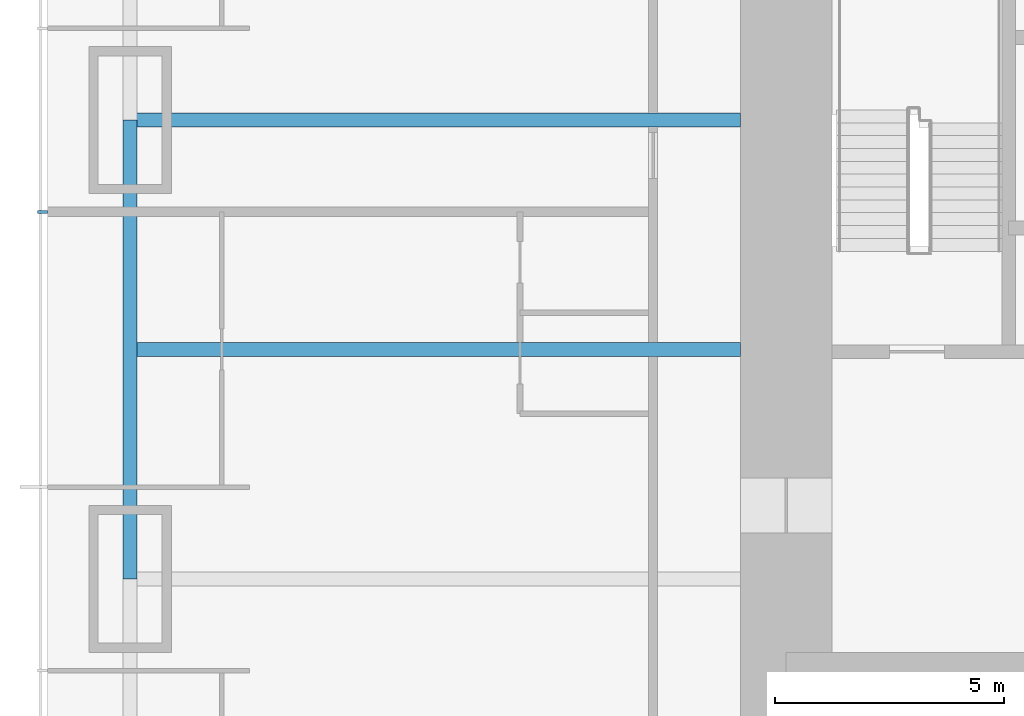
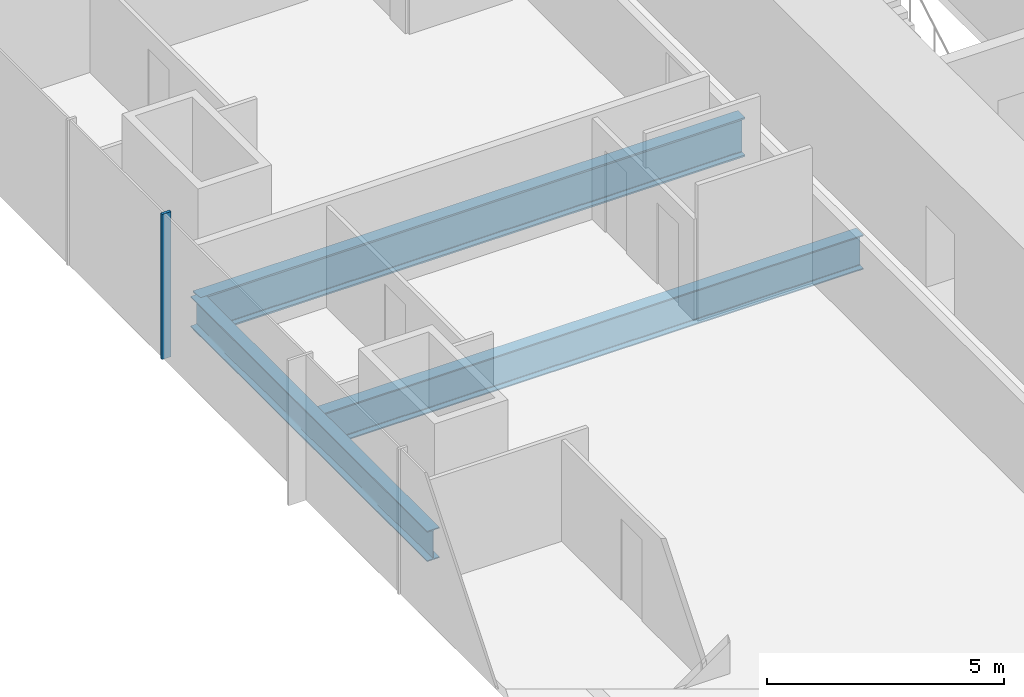
# One storey, part 3 of 17: 3 beams, 1 member, 1 element without a shape of its own.
"""IFC4 building model written with IfcOpenShell, lengths in metres."""

from ifc_helpers import new_model, si_unit, direction, frame, origin, origin_2d, place, context, subcontext, project, spatial, rectangle, i_section, extrude, material, material_profile, profile_set, type_object, element, aggregate, save


model = new_model("IFC4")

# Units and contexts
model_context = context("Model", 3, precision=1e-05, world=origin(), true_north=direction((0.0, 1.0)))
body_context = subcontext(model_context, "Body", "Model", "MODEL_VIEW")
ifc_project = project(units=[si_unit("LENGTHUNIT", "METRE"), si_unit("AREAUNIT", "SQUARE_METRE"), si_unit("VOLUMEUNIT", "CUBIC_METRE"), si_unit("PLANEANGLEUNIT", "RADIAN"), si_unit("MASSUNIT", "GRAM", prefix="KILO")], contexts=[model_context])

# Site, building, storey
site_placement = place(None, origin())
site = spatial("IfcSite", under=ifc_project, at=site_placement, CompositionType="ELEMENT")
building_placement = place(site_placement, origin())
building = spatial("IfcBuilding", under=site, at=building_placement, Name="Khuree Lantern Residences", CompositionType="ELEMENT")
storey_placement = place(building_placement, frame((0.0, 0.0, 43.5)))
storey = spatial("IfcBuildingStorey", under=building, at=storey_placement, Name="L10", CompositionType="ELEMENT", Elevation=43.5)

# Beams
ifc_material_1 = material(Name="Steel S355", Category="steel")
ifc_material_profile_1 = material_profile(ifc_material_1, i_section(OverallWidth=0.300048828125, OverallDepth=0.889892578125, WebThickness=0.01611328125, FlangeThickness=0.030029296875, FilletRadius=0.030029296875, at=origin_2d()), Name="HE 900 A")
ifc_profile_set_1 = profile_set([ifc_material_profile_1], Name="Steel S355")
beam_type_1 = type_object("IfcBeamType", Name="B-12 SECONDARY BEAM HE 900 A", PredefinedType="BEAM", material=ifc_profile_set_1)
beam_1_placement = place(storey_placement, frame((-29.800048828125, -5.0, -0.695068359375), z_axis=(1.0, 0.0, 0.0), x_axis=(0.0, 1.0, 0.0)))
element("IfcBeam", 1, at=beam_1_placement, inside=storey, type_object=beam_type_1, Name="Secondary beam W3", PredefinedType="BEAM", context=body_context, shape_type="SweptSolid", body=[
    extrude(i_section(OverallWidth=0.300048828125, OverallDepth=0.889892578125, WebThickness=0.01611328125, FlangeThickness=0.030029296875, FilletRadius=0.030029296875, at=origin_2d()), origin(), (0.0, 0.0, 1.0), 13.300048828125),
])
ifc_material_profile_2 = material_profile(ifc_material_1, i_section(OverallWidth=0.300048828125, OverallDepth=0.7900390625, WebThickness=0.014892578125, FlangeThickness=0.028076171875, FilletRadius=0.030029296875, at=origin_2d()), Name="HE 800 A")
ifc_profile_set_2 = profile_set([ifc_material_profile_2], Name="Steel S355")
beam_type_2 = type_object("IfcBeamType", Name="E-12 SPANDREL BEAM HE 800 A", PredefinedType="SPANDREL", material=ifc_profile_set_2)
beam_2_placement = place(storey_placement, frame((-29.800048828125, -10.0, -0.64501953125), z_axis=(0.0, 1.0, 0.0), x_axis=(-1.0, 0.0, 0.0)))
element("IfcBeam", 2, at=beam_2_placement, inside=storey, type_object=beam_type_2, Name="Spandrel beam W3", PredefinedType="SPANDREL", context=body_context, shape_type="SweptSolid", body=[
    extrude(i_section(OverallWidth=0.300048828125, OverallDepth=0.7900390625, WebThickness=0.014892578125, FlangeThickness=0.028076171875, FilletRadius=0.030029296875, at=origin_2d()), origin(), (0.0, 0.0, 1.0), 10.0),
])
ifc_material_profile_3 = material_profile(ifc_material_1, i_section(OverallWidth=0.302001953125, OverallDepth=1.008056640625, WebThickness=0.02099609375, FlangeThickness=0.0400390625, FilletRadius=0.030029296875, at=origin_2d()), Name="HE 1000 M")
ifc_profile_set_3 = profile_set([ifc_material_profile_3], Name="Steel S355")
beam_type_3 = type_object("IfcBeamType", Name="G-12 GIRDER HE 1000 M", PredefinedType="BEAM", material=ifc_profile_set_3)
beam_3_placement = place(storey_placement, frame((-29.800048828125, 0.0, -0.75390625), z_axis=(1.0, 0.0, 0.0), x_axis=(0.0, 1.0, 0.0)))
element("IfcBeam", 3, at=beam_3_placement, inside=storey, type_object=beam_type_3, Name="Girder W3", PredefinedType="BEAM", context=body_context, shape_type="SweptSolid", body=[
    extrude(i_section(OverallWidth=0.302001953125, OverallDepth=1.008056640625, WebThickness=0.02099609375, FlangeThickness=0.0400390625, FilletRadius=0.030029296875, at=origin_2d()), origin(), (0.0, 0.0, 1.0), 13.300048828125),
])

# Curtain wall, member
ifc_material_2 = material(Name="Bronze anodised aluminium", Category="aluminium")
curtain_wall_type = type_object("IfcCurtainWallType", Name="CW-T1 TOWER FACE CURTAIN WALL", PredefinedType="USERDEFINED", material=ifc_material_2)
curtain_wall_placement = place(storey_placement, origin())
curtain_wall = element("IfcCurtainWall", 4, at=curtain_wall_placement, inside=storey, type_object=curtain_wall_type, Name="L10 WEST FACE CURTAIN WALL", ObjectType="Stick-built curtain wall", PredefinedType="USERDEFINED")
ifc_material_profile_4 = material_profile(ifc_material_2, rectangle(XDim=0.06494140625, YDim=0.219970703125, at=origin_2d()), Name="M1 65X220")
ifc_profile_set_4 = profile_set([ifc_material_profile_4], Name="Bronze anodised aluminium")
member_type = type_object("IfcMemberType", Name="M1 BRONZE MULLION TOWER 65X220", PredefinedType="MULLION", material=ifc_profile_set_4)
member_placement = place(storey_placement, frame((-31.7099609375, -2.0, 0.0), z_axis=(0.0, 0.0, 1.0), x_axis=(0.0, -1.0, 0.0)))
member = element("IfcMember", 5, at=member_placement, type_object=member_type, Name="L10 WEST FACE MULLION 38", PredefinedType="MULLION", context=body_context, shape_type="SweptSolid", body=[
    extrude(rectangle(XDim=0.06494140625, YDim=0.219970703125, at=origin_2d()), origin(), (0.0, 0.0, 1.0), 3.75),
])
aggregate(curtain_wall, [member])

save(model, "model.ifc")
